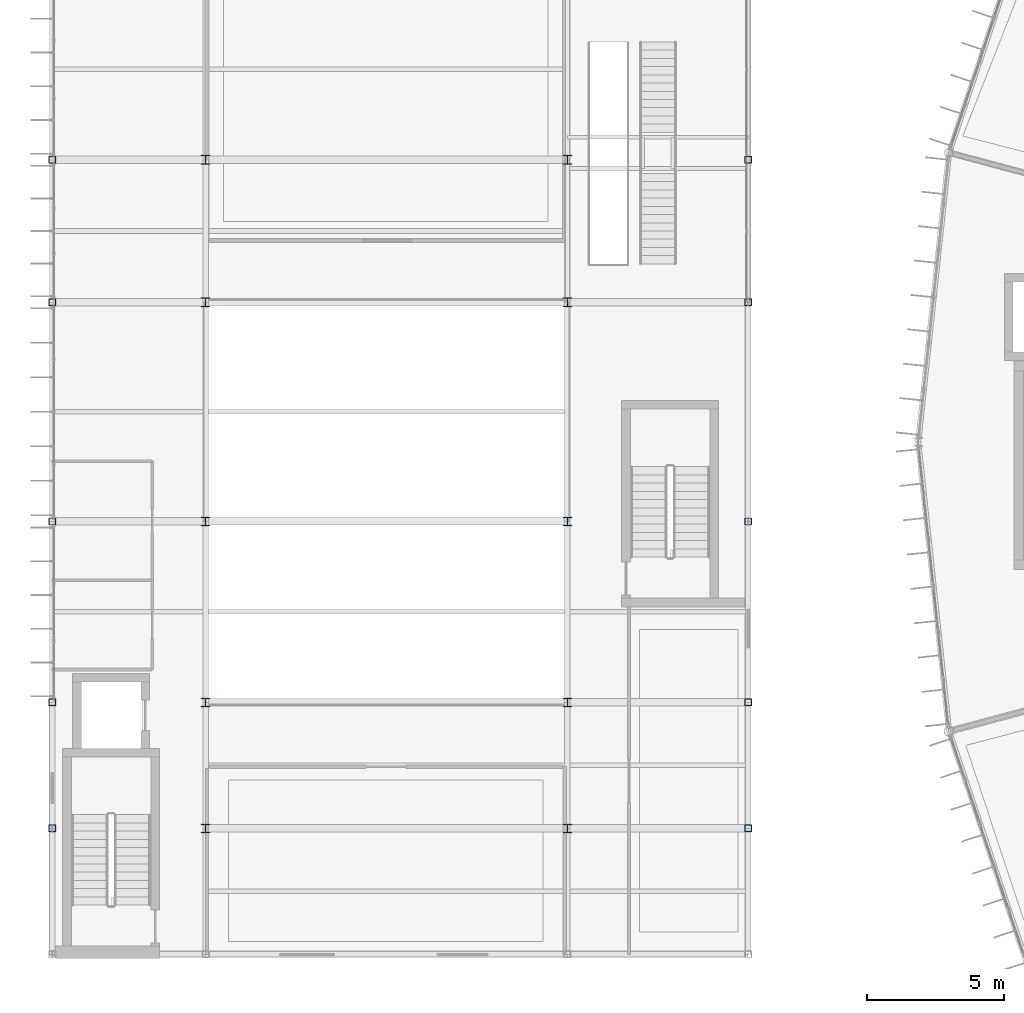
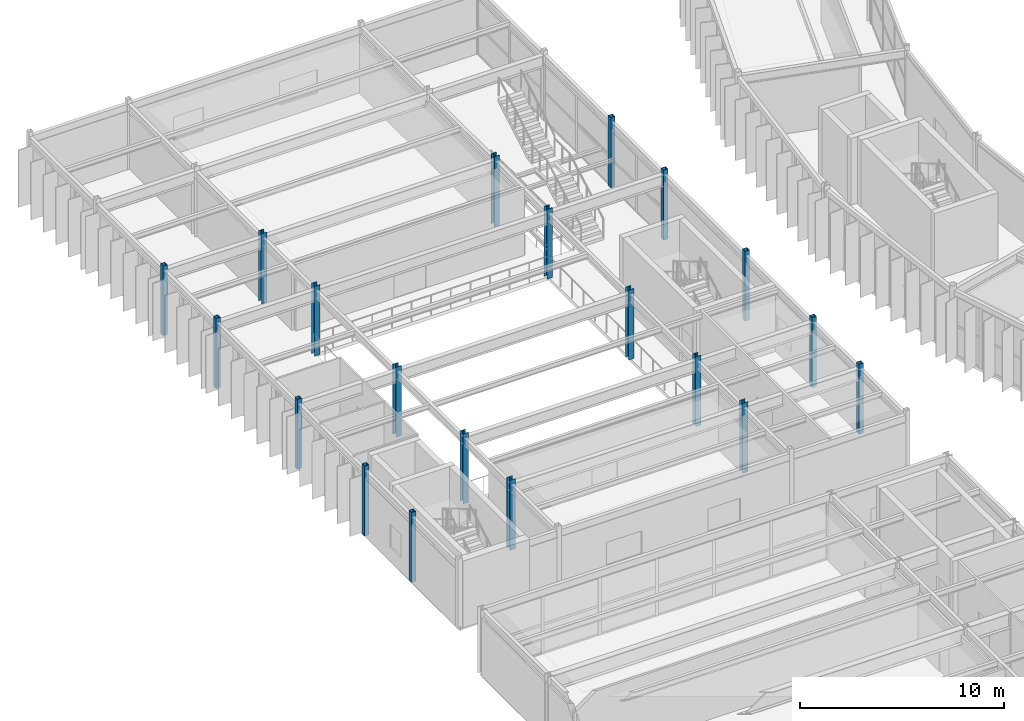
# One storey, part 4 of 147: 20 columns.
"""IFC4 building model written with IfcOpenShell, lengths in metres."""

from ifc_helpers import new_model, si_unit, direction, frame, origin, origin_2d, place, context, subcontext, project, spatial, hollow_rectangle, i_section, extrude, material, material_profile, profile_set, type_object, element, save


model = new_model("IFC4")

# Units and contexts
model_context = context("Model", 3, precision=1e-05, world=origin(), true_north=direction((0.0, 1.0)))
body_context = subcontext(model_context, "Body", "Model", "MODEL_VIEW")
ifc_project = project(units=[si_unit("LENGTHUNIT", "METRE"), si_unit("AREAUNIT", "SQUARE_METRE"), si_unit("VOLUMEUNIT", "CUBIC_METRE"), si_unit("PLANEANGLEUNIT", "RADIAN"), si_unit("MASSUNIT", "GRAM", prefix="KILO")], contexts=[model_context])

# Site, building, storey
site_placement = place(None, origin())
site = spatial("IfcSite", under=ifc_project, at=site_placement, CompositionType="ELEMENT")
building_placement = place(site_placement, origin())
building = spatial("IfcBuilding", under=site, at=building_placement, Name="Karori Crest Natural Sciences Institute", CompositionType="ELEMENT")
storey_placement = place(building_placement, frame((0.0, 0.0, 9.10009765625)))
storey = spatial("IfcBuildingStorey", under=building, at=storey_placement, Name="L02", CompositionType="ELEMENT", Elevation=9.10009765625)

# Columns
ifc_material_1 = material(Name="Structural steel AS/NZS 3679.1 Grade 350", Category="steel")
ifc_material_profile_1 = material_profile(ifc_material_1, i_section(OverallWidth=0.306884765625, OverallDepth=0.31494140625, WebThickness=0.011962890625, FlangeThickness=0.018798828125, FilletRadius=0.01708984375, at=origin_2d()), Name="310UC118")
ifc_profile_set_1 = profile_set([ifc_material_profile_1], Name="Structural steel AS/NZS 3679.1 Grade 350")
column_type_1 = type_object("IfcColumnType", Name="CT-05", PredefinedType="COLUMN", material=ifc_profile_set_1)
for number, where, z_axis, x_axis, name in (
    (1, (7.39990234375, 35.800048828125, 0.0), (0.0, 0.0, 1.0), (1.0, 0.0, 0.0), "Column C-0583"),
    (2, (7.39990234375, 40.39990234375, 0.0), (0.0, 0.0, 1.0), (1.0, 0.0, 0.0), "Column C-0589"),
    (3, (7.39990234375, 47.0, 0.0), (0.0, 0.0, 1.0), (1.0, 0.0, 0.0), "Column C-0595"),
    (4, (7.39990234375, 55.0, 0.0), (0.0, 0.0, 1.0), (1.0, 0.0, 0.0), "Column C-0601"),
    (5, (7.39990234375, 60.199951171875, 0.0), (0.0, 0.0, 1.0), (1.0, 0.0, 0.0), "Column C-0607"),
    (6, (20.60009765625, 35.800048828125, 0.0), (0.0, 0.0, 1.0), (1.0, 0.0, 0.0), "Column C-0628"),
    (7, (20.60009765625, 40.39990234375, 0.0), (0.0, 0.0, 1.0), (1.0, 0.0, 0.0), "Column C-0634"),
    (8, (20.60009765625, 47.0, 0.0), (0.0, 0.0, 1.0), (1.0, 0.0, 0.0), "Column C-0640"),
    (9, (20.60009765625, 55.0, 0.0), (0.0, 0.0, 1.0), (1.0, 0.0, 0.0), "Column C-0646"),
    (10, (20.60009765625, 60.199951171875, 0.0), (0.0, 0.0, 1.0), (1.0, 0.0, 0.0), "Column C-0652"),
):
    element("IfcColumn", number, at=place(storey_placement, frame(where, z_axis=z_axis, x_axis=x_axis)), inside=storey, type_object=column_type_1, Name=name, PredefinedType="COLUMN", context=body_context, shape_type="SweptSolid", body=[
        extrude(i_section(OverallWidth=0.306884765625, OverallDepth=0.31494140625, WebThickness=0.011962890625, FlangeThickness=0.018798828125, FilletRadius=0.01708984375, at=origin_2d()), origin(), (0.0, 0.0, 1.0), 4.199951171875),
    ])
ifc_material_2 = material(Name="Hollow structural steel AS/NZS 1163 Grade C350", Category="steel")
ifc_material_profile_2 = material_profile(ifc_material_2, hollow_rectangle(XDim=0.25, YDim=0.25, WallThickness=0.012451171875, at=origin_2d()), Name="SHS250x250x12.5")
ifc_profile_set_2 = profile_set([ifc_material_profile_2], Name="Hollow structural steel AS/NZS 1163 Grade C350")
column_type_2 = type_object("IfcColumnType", Name="CT-12", PredefinedType="COLUMN", material=ifc_profile_set_2)
for number, where, z_axis, x_axis, name in (
    (11, (1.800048828125, 35.800048828125, 0.0), (0.0, 0.0, 1.0), (1.0, 0.0, 0.0), "Column C-0538"),
    (12, (1.800048828125, 40.39990234375, 0.0), (0.0, 0.0, 1.0), (1.0, 0.0, 0.0), "Column C-0544"),
    (13, (1.800048828125, 47.0, 0.0), (0.0, 0.0, 1.0), (1.0, 0.0, 0.0), "Column C-0550"),
    (14, (1.800048828125, 55.0, 0.0), (0.0, 0.0, 1.0), (1.0, 0.0, 0.0), "Column C-0556"),
    (15, (1.800048828125, 60.199951171875, 0.0), (0.0, 0.0, 1.0), (1.0, 0.0, 0.0), "Column C-0562"),
    (16, (27.199951171875, 35.800048828125, 0.0), (0.0, 0.0, 1.0), (1.0, 0.0, 0.0), "Column C-0673"),
    (17, (27.199951171875, 40.39990234375, 0.0), (0.0, 0.0, 1.0), (1.0, 0.0, 0.0), "Column C-0679"),
    (18, (27.199951171875, 47.0, 0.0), (0.0, 0.0, 1.0), (1.0, 0.0, 0.0), "Column C-0685"),
    (19, (27.199951171875, 55.0, 0.0), (0.0, 0.0, 1.0), (1.0, 0.0, 0.0), "Column C-0691"),
    (20, (27.199951171875, 60.199951171875, 0.0), (0.0, 0.0, 1.0), (1.0, 0.0, 0.0), "Column C-0697"),
):
    element("IfcColumn", number, at=place(storey_placement, frame(where, z_axis=z_axis, x_axis=x_axis)), inside=storey, type_object=column_type_2, Name=name, PredefinedType="COLUMN", context=body_context, shape_type="SweptSolid", body=[
        extrude(hollow_rectangle(XDim=0.25, YDim=0.25, WallThickness=0.012451171875, at=origin_2d()), origin(), (0.0, 0.0, 1.0), 4.199951171875),
    ])

save(model, "model.ifc")
